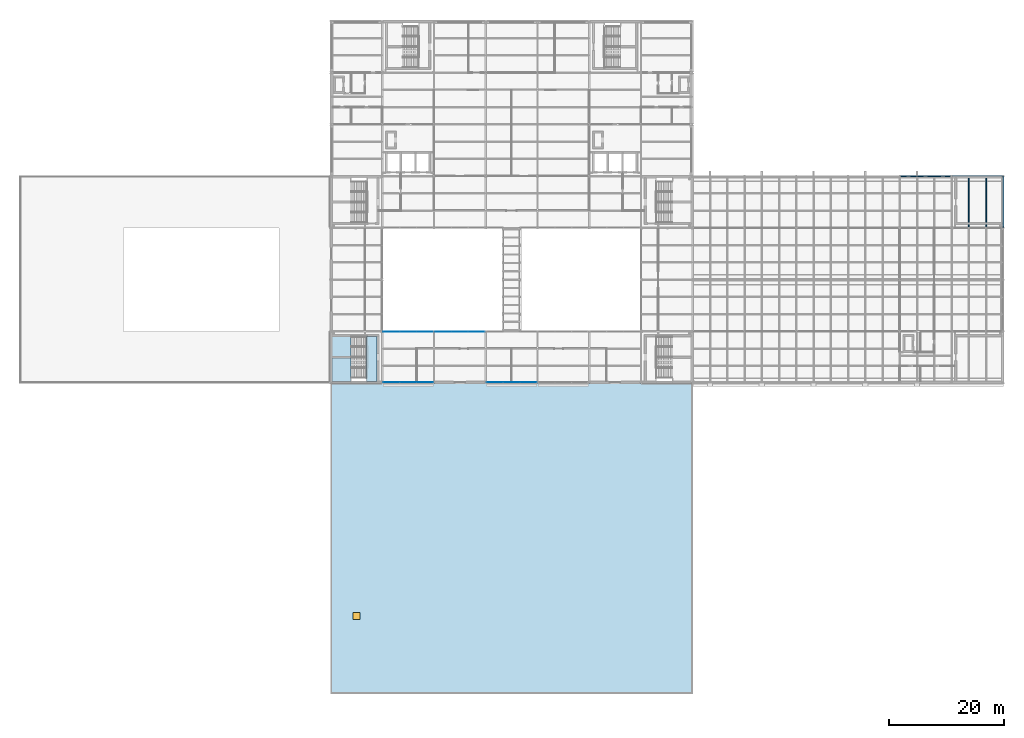
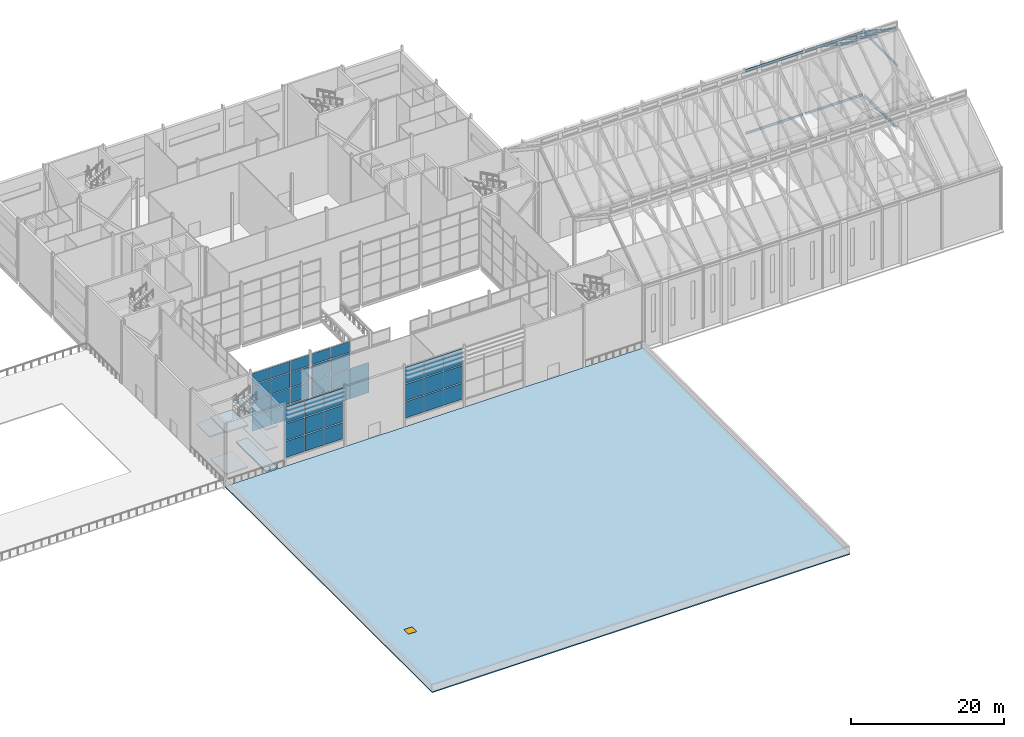
# One storey, part 80 of 111: 40 plates, 7 slabs, 6 beams, 3 members, 1 door, 1 opening, 5 elements without a shape of their own.
"""IFC4 building model written with IfcOpenShell, lengths in metres."""

from ifc_helpers import new_model, si_unit, direction, frame, origin, origin_2d, place, context, subcontext, project, spatial, polyline, rectangle, i_section, outline, extrude, material, layer, layer_set, material_profile, profile_set, type_object, element, fill, aggregate, save


model = new_model("IFC4")

# Units and contexts
model_context = context("Model", 3, precision=1e-05, world=origin(), true_north=direction((0.0, 1.0)))
body_context = subcontext(model_context, "Body", "Model", "MODEL_VIEW")
ifc_project = project(units=[si_unit("LENGTHUNIT", "METRE"), si_unit("AREAUNIT", "SQUARE_METRE"), si_unit("VOLUMEUNIT", "CUBIC_METRE"), si_unit("PLANEANGLEUNIT", "RADIAN"), si_unit("MASSUNIT", "GRAM", prefix="KILO")], contexts=[model_context])

# Site, building, storey
site_placement = place(None, origin())
site = spatial("IfcSite", under=ifc_project, at=site_placement, CompositionType="ELEMENT")
building_placement = place(site_placement, origin())
building = spatial("IfcBuilding", under=site, at=building_placement, Name="Shorebreak Coast Museum", CompositionType="ELEMENT")
storey_placement = place(building_placement, frame((0.0, 0.0, 16.0)))
storey = spatial("IfcBuildingStorey", under=building, at=storey_placement, Name="L03", CompositionType="ELEMENT", Elevation=16.0)

# Beams
ifc_material_1 = material(Name="Steel Grade 300", Category="steel")
ifc_material_profile_1 = material_profile(ifc_material_1, i_section(OverallWidth=0.1708984375, OverallDepth=0.355712890625, WebThickness=0.00732421875, FlangeThickness=0.011474609375, FilletRadius=0.011474609375, at=origin_2d()), Name="360UB50.7")
ifc_profile_set_1 = profile_set([ifc_material_profile_1], Name="Steel Grade 300")
beam_type_1 = type_object("IfcBeamType", Name="Floor girder east-west 360UB50.7", PredefinedType="BEAM", material=ifc_profile_set_1)
for number, where, z_axis, x_axis, name in (
    (1, (153.14990234375, 90.0, -0.352783203125), (1.0, 0.0, 0.0), (0.0, 1.0, 0.0), "Floor girder east-west L03 18L"),
    (2, (162.14990234375, 90.0, -0.352783203125), (1.0, 0.0, 0.0), (0.0, 1.0, 0.0), "Floor girder east-west L03 19L"),
):
    element("IfcBeam", number, at=place(storey_placement, frame(where, z_axis=z_axis, x_axis=x_axis)), inside=storey, type_object=beam_type_1, Name=name, PredefinedType="BEAM", context=body_context, shape_type="SweptSolid", body=[
        extrude(i_section(OverallWidth=0.1708984375, OverallDepth=0.355712890625, WebThickness=0.00732421875, FlangeThickness=0.011474609375, FilletRadius=0.011474609375, at=origin_2d()), origin(), (0.0, 0.0, 1.0), 8.7001953125),
    ])
ifc_material_2 = material(Name="Steel Grade 300", Category="steel")
ifc_material_profile_2 = material_profile(ifc_material_2, i_section(OverallWidth=0.18994140625, OverallDepth=0.453857421875, WebThickness=0.008544921875, FlangeThickness=0.0126953125, FilletRadius=0.011474609375, at=origin_2d()), Name="460UB67.1")
ifc_profile_set_2 = profile_set([ifc_material_profile_2], Name="Steel Grade 300")
beam_type_2 = type_object("IfcBeamType", Name="Floor girder north-south 460UB67.1", PredefinedType="BEAM", material=ifc_profile_set_2)
beam_1_placement = place(storey_placement, frame((171.0, 81.14990234375, -0.40185546875), z_axis=(0.0, 1.0, 0.0), x_axis=(-1.0, 0.0, 0.0)))
element("IfcBeam", 3, at=beam_1_placement, inside=storey, type_object=beam_type_2, Name="Floor girder north-south L03 20K", PredefinedType="BEAM", context=body_context, shape_type="SweptSolid", body=[
    extrude(i_section(OverallWidth=0.18994140625, OverallDepth=0.453857421875, WebThickness=0.008544921875, FlangeThickness=0.0126953125, FilletRadius=0.011474609375, at=origin_2d()), origin(), (0.0, 0.0, 1.0), 8.7001953125),
])

# Members
ifc_material_3 = material(Name="Steel Grade 300", Category="steel")
ifc_material_profile_3 = material_profile(ifc_material_3, i_section(OverallWidth=0.177978515625, OverallDepth=0.402587890625, WebThickness=0.007568359375, FlangeThickness=0.010986328125, FilletRadius=0.011474609375, at=origin_2d()), Name="410UB53.7")
ifc_profile_set_3 = profile_set([ifc_material_profile_3], Name="Steel Grade 300")
member_type_1 = type_object("IfcMemberType", Name="Fold rafter 410UB53.7", PredefinedType="RAFTER", material=ifc_profile_set_3)
for number, where, z_axis, x_axis, name in (
    (4, (165.0, 81.089111328125, 15.458251953125), (0.0, 0.832043209162, -0.554710823842), (-1.0, 0.0, 0.0), "Fold rafter FOLD-E line 4 17"),
    (5, (168.0, 81.089111328125, 15.458251953125), (0.0, 0.832043209162, -0.554710823842), (-1.0, 0.0, 0.0), "Fold rafter FOLD-E line 4 18"),
):
    element("IfcMember", number, at=place(storey_placement, frame(where, z_axis=z_axis, x_axis=x_axis)), inside=storey, type_object=member_type_1, Name=name, PredefinedType="RAFTER", context=body_context, shape_type="SweptSolid", body=[
        extrude(i_section(OverallWidth=0.177978515625, OverallDepth=0.402587890625, WebThickness=0.007568359375, FlangeThickness=0.010986328125, FilletRadius=0.011474609375, at=origin_2d()), origin(), (0.0, 0.0, 1.0), 10.6025390625),
    ])
ifc_material_4 = material(Name="Steel Grade 300", Category="steel")
ifc_material_profile_4 = material_profile(ifc_material_4, i_section(OverallWidth=0.18994140625, OverallDepth=0.453857421875, WebThickness=0.008544921875, FlangeThickness=0.0126953125, FilletRadius=0.011474609375, at=origin_2d()), Name="460UB67.1")
ifc_profile_set_4 = profile_set([ifc_material_profile_4], Name="Steel Grade 300")
member_type_2 = type_object("IfcMemberType", Name="Fold rib rafter 460UB67.1", PredefinedType="RAFTER", material=ifc_profile_set_4)
member_placement = place(storey_placement, frame((171.0, 81.089111328125, 15.427490234375), z_axis=(0.0, 0.832043209162, -0.554710823842), x_axis=(-1.0, 0.0, 0.0)))
element("IfcMember", 6, at=member_placement, inside=storey, type_object=member_type_2, Name="Fold rib rafter FOLD-E line 4 19", PredefinedType="RAFTER", context=body_context, shape_type="SweptSolid", body=[
    extrude(i_section(OverallWidth=0.18994140625, OverallDepth=0.453857421875, WebThickness=0.008544921875, FlangeThickness=0.0126953125, FilletRadius=0.011474609375, at=origin_2d()), origin(), (0.0, 0.0, 1.0), 10.6025390625),
])

# Beams
ifc_material_5 = material(Name="Steel Grade 300", Category="steel")
ifc_material_profile_5 = material_profile(ifc_material_5, i_section(OverallWidth=0.1708984375, OverallDepth=0.35205078125, WebThickness=0.0068359375, FlangeThickness=0.009765625, FilletRadius=0.011474609375, at=origin_2d()), Name="360UB44.7")
ifc_profile_set_5 = profile_set([ifc_material_profile_5], Name="Steel Grade 300")
beam_type_3 = type_object("IfcBeamType", Name="Fold rib tie 360UB44.7", PredefinedType="BEAM", material=ifc_profile_set_5)
beam_2_placement = place(storey_placement, frame((171.0, 81.125, 9.58349609375), z_axis=(0.0, 1.0, 0.0), x_axis=(-1.0, 0.0, 0.0)))
element("IfcBeam", 7, at=beam_2_placement, inside=storey, type_object=beam_type_3, Name="Fold rib tie FOLD-E rib 20 K-L", PredefinedType="BEAM", context=body_context, shape_type="SweptSolid", body=[
    extrude(i_section(OverallWidth=0.1708984375, OverallDepth=0.35205078125, WebThickness=0.0068359375, FlangeThickness=0.009765625, FilletRadius=0.011474609375, at=origin_2d()), origin(), (0.0, 0.0, 1.0), 8.75),
])
ifc_material_6 = material(Name="Steel Grade 300", Category="steel")
ifc_material_profile_6 = material_profile(ifc_material_6, i_section(OverallWidth=0.177978515625, OverallDepth=0.406494140625, WebThickness=0.0078125, FlangeThickness=0.0126953125, FilletRadius=0.011474609375, at=origin_2d()), Name="410UB59.7")
ifc_profile_set_6 = profile_set([ifc_material_profile_6], Name="Steel Grade 300")
beam_type_4 = type_object("IfcBeamType", Name="Fold valley girder 410UB59.7", PredefinedType="BEAM", material=ifc_profile_set_6)
for number, where, z_axis, x_axis, name in (
    (8, (153.125, 90.0, 9.61572265625), (1.0, 0.0, 0.0), (0.0, 1.0, 0.0), "Fold valley girder FOLD-E line L bay 18L"),
    (9, (162.125, 90.0, 9.61572265625), (1.0, 0.0, 0.0), (0.0, 1.0, 0.0), "Fold valley girder FOLD-E line L bay 19L"),
):
    element("IfcBeam", number, at=place(storey_placement, frame(where, z_axis=z_axis, x_axis=x_axis)), inside=storey, type_object=beam_type_4, Name=name, PredefinedType="BEAM", context=body_context, shape_type="SweptSolid", body=[
        extrude(i_section(OverallWidth=0.177978515625, OverallDepth=0.406494140625, WebThickness=0.0078125, FlangeThickness=0.0126953125, FilletRadius=0.011474609375, at=origin_2d()), origin(), (0.0, 0.0, 1.0), 8.75),
    ])

# Curtain wall, plates
ifc_material_7 = material(Name="Aluminium", Category="aluminium")
ifc_layer_1 = layer(ifc_material_7, 0.1201171875)
ifc_layer_set_1 = layer_set([ifc_layer_1], Name="Aluminium")
curtain_wall_type_1 = type_object("IfcCurtainWallType", Name="Atrium fire screen", PredefinedType="NOTDEFINED", material=ifc_layer_set_1)
curtain_wall_1_placement = place(storey_placement, origin())
curtain_wall_1 = element("IfcCurtainWall", 10, at=curtain_wall_1_placement, inside=storey, type_object=curtain_wall_type_1, Name="Atrium screen L03 S 33", PredefinedType="NOTDEFINED")
ifc_material_8 = material(Name="Glass", Category="glass")
ifc_layer_2 = layer(ifc_material_8, 0.034912109375)
ifc_layer_set_2 = layer_set([ifc_layer_2], Name="Glass")
plate_type_1 = type_object("IfcPlateType", Name="Fire-resisting glass panel 35", PredefinedType="CURTAIN_PANEL", material=ifc_layer_set_2)
plate_1_placement = place(storey_placement, frame((64.615478515625, 62.93994140625, 0.1201171875), z_axis=(0.0, 0.0, 1.0), x_axis=(1.0, 0.0, 0.0)))
plate_1 = element("IfcPlate", 11, at=plate_1_placement, type_object=plate_type_1, Name="CW4 panel 1.1", PredefinedType="CURTAIN_PANEL", context=body_context, shape_type="SweptSolid", body=[
    extrude(rectangle(XDim=2.822021484375, YDim=0.034912109375, at=origin_2d()), origin(), (0.0, 0.0, 1.0), 2.320068359375),
])
plate_2_placement = place(storey_placement, frame((64.615478515625, 62.93994140625, 2.56005859375), z_axis=(0.0, 0.0, 1.0), x_axis=(1.0, 0.0, 0.0)))
plate_2 = element("IfcPlate", 12, at=plate_2_placement, type_object=plate_type_1, Name="CW4 panel 1.2", PredefinedType="CURTAIN_PANEL", context=body_context, shape_type="SweptSolid", body=[
    extrude(rectangle(XDim=2.822021484375, YDim=0.034912109375, at=origin_2d()), origin(), (0.0, 0.0, 1.0), 2.3798828125),
])
plate_3_placement = place(storey_placement, frame((64.615478515625, 62.93994140625, 5.06005859375), z_axis=(0.0, 0.0, 1.0), x_axis=(1.0, 0.0, 0.0)))
plate_3 = element("IfcPlate", 13, at=plate_3_placement, type_object=plate_type_1, Name="CW4 panel 1.3", PredefinedType="CURTAIN_PANEL", context=body_context, shape_type="SweptSolid", body=[
    extrude(rectangle(XDim=2.822021484375, YDim=0.034912109375, at=origin_2d()), origin(), (0.0, 0.0, 1.0), 2.3798828125),
])
plate_4_placement = place(storey_placement, frame((64.615478515625, 62.93994140625, 7.56005859375), z_axis=(0.0, 0.0, 1.0), x_axis=(1.0, 0.0, 0.0)))
plate_4 = element("IfcPlate", 14, at=plate_4_placement, type_object=plate_type_1, Name="CW4 panel 1.4", PredefinedType="CURTAIN_PANEL", context=body_context, shape_type="SweptSolid", body=[
    extrude(rectangle(XDim=2.822021484375, YDim=0.034912109375, at=origin_2d()), origin(), (0.0, 0.0, 1.0), 1.742431640625),
])
plate_5_placement = place(storey_placement, frame((67.5, 62.93994140625, 0.1201171875), z_axis=(0.0, 0.0, 1.0), x_axis=(1.0, 0.0, 0.0)))
plate_5 = element("IfcPlate", 15, at=plate_5_placement, type_object=plate_type_1, Name="CW4 panel 2.1", PredefinedType="CURTAIN_PANEL", context=body_context, shape_type="SweptSolid", body=[
    extrude(rectangle(XDim=2.846923828125, YDim=0.034912109375, at=origin_2d()), origin(), (0.0, 0.0, 1.0), 2.320068359375),
])
plate_6_placement = place(storey_placement, frame((67.5, 62.93994140625, 2.56005859375), z_axis=(0.0, 0.0, 1.0), x_axis=(1.0, 0.0, 0.0)))
plate_6 = element("IfcPlate", 16, at=plate_6_placement, type_object=plate_type_1, Name="CW4 panel 2.2", PredefinedType="CURTAIN_PANEL", context=body_context, shape_type="SweptSolid", body=[
    extrude(rectangle(XDim=2.846923828125, YDim=0.034912109375, at=origin_2d()), origin(), (0.0, 0.0, 1.0), 2.3798828125),
])
plate_7_placement = place(storey_placement, frame((67.5, 62.93994140625, 5.06005859375), z_axis=(0.0, 0.0, 1.0), x_axis=(1.0, 0.0, 0.0)))
plate_7 = element("IfcPlate", 17, at=plate_7_placement, type_object=plate_type_1, Name="CW4 panel 2.3", PredefinedType="CURTAIN_PANEL", context=body_context, shape_type="SweptSolid", body=[
    extrude(rectangle(XDim=2.846923828125, YDim=0.034912109375, at=origin_2d()), origin(), (0.0, 0.0, 1.0), 2.3798828125),
])
plate_8_placement = place(storey_placement, frame((67.5, 62.93994140625, 7.56005859375), z_axis=(0.0, 0.0, 1.0), x_axis=(1.0, 0.0, 0.0)))
plate_8 = element("IfcPlate", 18, at=plate_8_placement, type_object=plate_type_1, Name="CW4 panel 2.4", PredefinedType="CURTAIN_PANEL", context=body_context, shape_type="SweptSolid", body=[
    extrude(rectangle(XDim=2.846923828125, YDim=0.034912109375, at=origin_2d()), origin(), (0.0, 0.0, 1.0), 1.742431640625),
])
plate_9_placement = place(storey_placement, frame((70.384521484375, 62.93994140625, 0.1201171875), z_axis=(0.0, 0.0, 1.0), x_axis=(1.0, 0.0, 0.0)))
plate_9 = element("IfcPlate", 19, at=plate_9_placement, type_object=plate_type_1, Name="CW4 panel 3.1", PredefinedType="CURTAIN_PANEL", context=body_context, shape_type="SweptSolid", body=[
    extrude(rectangle(XDim=2.822021484375, YDim=0.034912109375, at=origin_2d()), origin(), (0.0, 0.0, 1.0), 2.320068359375),
])
plate_10_placement = place(storey_placement, frame((70.384521484375, 62.93994140625, 2.56005859375), z_axis=(0.0, 0.0, 1.0), x_axis=(1.0, 0.0, 0.0)))
plate_10 = element("IfcPlate", 20, at=plate_10_placement, type_object=plate_type_1, Name="CW4 panel 3.2", PredefinedType="CURTAIN_PANEL", context=body_context, shape_type="SweptSolid", body=[
    extrude(rectangle(XDim=2.822021484375, YDim=0.034912109375, at=origin_2d()), origin(), (0.0, 0.0, 1.0), 2.3798828125),
])
plate_11_placement = place(storey_placement, frame((70.384521484375, 62.93994140625, 5.06005859375), z_axis=(0.0, 0.0, 1.0), x_axis=(1.0, 0.0, 0.0)))
plate_11 = element("IfcPlate", 21, at=plate_11_placement, type_object=plate_type_1, Name="CW4 panel 3.3", PredefinedType="CURTAIN_PANEL", context=body_context, shape_type="SweptSolid", body=[
    extrude(rectangle(XDim=2.822021484375, YDim=0.034912109375, at=origin_2d()), origin(), (0.0, 0.0, 1.0), 2.3798828125),
])
plate_12_placement = place(storey_placement, frame((70.384521484375, 62.93994140625, 7.56005859375), z_axis=(0.0, 0.0, 1.0), x_axis=(1.0, 0.0, 0.0)))
plate_12 = element("IfcPlate", 22, at=plate_12_placement, type_object=plate_type_1, Name="CW4 panel 3.4", PredefinedType="CURTAIN_PANEL", context=body_context, shape_type="SweptSolid", body=[
    extrude(rectangle(XDim=2.822021484375, YDim=0.034912109375, at=origin_2d()), origin(), (0.0, 0.0, 1.0), 1.742431640625),
])
aggregate(curtain_wall_1, [plate_1, plate_2, plate_3, plate_4, plate_5, plate_6, plate_7, plate_8, plate_9, plate_10, plate_11, plate_12])

curtain_wall_2_placement = place(storey_placement, origin())
curtain_wall_2 = element("IfcCurtainWall", 23, at=curtain_wall_2_placement, inside=storey, type_object=curtain_wall_type_1, Name="Atrium screen L03 S 34", PredefinedType="NOTDEFINED")
plate_13_placement = place(storey_placement, frame((73.615478515625, 62.93994140625, 0.1201171875), z_axis=(0.0, 0.0, 1.0), x_axis=(1.0, 0.0, 0.0)))
plate_13 = element("IfcPlate", 24, at=plate_13_placement, type_object=plate_type_1, Name="CW5 panel 1.1", PredefinedType="CURTAIN_PANEL", context=body_context, shape_type="SweptSolid", body=[
    extrude(rectangle(XDim=2.822021484375, YDim=0.034912109375, at=origin_2d()), origin(), (0.0, 0.0, 1.0), 2.320068359375),
])
plate_14_placement = place(storey_placement, frame((73.615478515625, 62.93994140625, 2.56005859375), z_axis=(0.0, 0.0, 1.0), x_axis=(1.0, 0.0, 0.0)))
plate_14 = element("IfcPlate", 25, at=plate_14_placement, type_object=plate_type_1, Name="CW5 panel 1.2", PredefinedType="CURTAIN_PANEL", context=body_context, shape_type="SweptSolid", body=[
    extrude(rectangle(XDim=2.822021484375, YDim=0.034912109375, at=origin_2d()), origin(), (0.0, 0.0, 1.0), 2.3798828125),
])
plate_15_placement = place(storey_placement, frame((73.615478515625, 62.93994140625, 5.06005859375), z_axis=(0.0, 0.0, 1.0), x_axis=(1.0, 0.0, 0.0)))
plate_15 = element("IfcPlate", 26, at=plate_15_placement, type_object=plate_type_1, Name="CW5 panel 1.3", PredefinedType="CURTAIN_PANEL", context=body_context, shape_type="SweptSolid", body=[
    extrude(rectangle(XDim=2.822021484375, YDim=0.034912109375, at=origin_2d()), origin(), (0.0, 0.0, 1.0), 2.3798828125),
])
plate_16_placement = place(storey_placement, frame((73.615478515625, 62.93994140625, 7.56005859375), z_axis=(0.0, 0.0, 1.0), x_axis=(1.0, 0.0, 0.0)))
plate_16 = element("IfcPlate", 27, at=plate_16_placement, type_object=plate_type_1, Name="CW5 panel 1.4", PredefinedType="CURTAIN_PANEL", context=body_context, shape_type="SweptSolid", body=[
    extrude(rectangle(XDim=2.822021484375, YDim=0.034912109375, at=origin_2d()), origin(), (0.0, 0.0, 1.0), 1.742431640625),
])
plate_17_placement = place(storey_placement, frame((76.5, 62.93994140625, 0.1201171875), z_axis=(0.0, 0.0, 1.0), x_axis=(1.0, 0.0, 0.0)))
plate_17 = element("IfcPlate", 28, at=plate_17_placement, type_object=plate_type_1, Name="CW5 panel 2.1", PredefinedType="CURTAIN_PANEL", context=body_context, shape_type="SweptSolid", body=[
    extrude(rectangle(XDim=2.846923828125, YDim=0.034912109375, at=origin_2d()), origin(), (0.0, 0.0, 1.0), 2.320068359375),
])
plate_18_placement = place(storey_placement, frame((76.5, 62.93994140625, 2.56005859375), z_axis=(0.0, 0.0, 1.0), x_axis=(1.0, 0.0, 0.0)))
plate_18 = element("IfcPlate", 29, at=plate_18_placement, type_object=plate_type_1, Name="CW5 panel 2.2", PredefinedType="CURTAIN_PANEL", context=body_context, shape_type="SweptSolid", body=[
    extrude(rectangle(XDim=2.846923828125, YDim=0.034912109375, at=origin_2d()), origin(), (0.0, 0.0, 1.0), 2.3798828125),
])
plate_19_placement = place(storey_placement, frame((76.5, 62.93994140625, 5.06005859375), z_axis=(0.0, 0.0, 1.0), x_axis=(1.0, 0.0, 0.0)))
plate_19 = element("IfcPlate", 30, at=plate_19_placement, type_object=plate_type_1, Name="CW5 panel 2.3", PredefinedType="CURTAIN_PANEL", context=body_context, shape_type="SweptSolid", body=[
    extrude(rectangle(XDim=2.846923828125, YDim=0.034912109375, at=origin_2d()), origin(), (0.0, 0.0, 1.0), 2.3798828125),
])
plate_20_placement = place(storey_placement, frame((76.5, 62.93994140625, 7.56005859375), z_axis=(0.0, 0.0, 1.0), x_axis=(1.0, 0.0, 0.0)))
plate_20 = element("IfcPlate", 31, at=plate_20_placement, type_object=plate_type_1, Name="CW5 panel 2.4", PredefinedType="CURTAIN_PANEL", context=body_context, shape_type="SweptSolid", body=[
    extrude(rectangle(XDim=2.846923828125, YDim=0.034912109375, at=origin_2d()), origin(), (0.0, 0.0, 1.0), 1.742431640625),
])
plate_21_placement = place(storey_placement, frame((79.384521484375, 62.93994140625, 0.1201171875), z_axis=(0.0, 0.0, 1.0), x_axis=(1.0, 0.0, 0.0)))
plate_21 = element("IfcPlate", 32, at=plate_21_placement, type_object=plate_type_1, Name="CW5 panel 3.1", PredefinedType="CURTAIN_PANEL", context=body_context, shape_type="SweptSolid", body=[
    extrude(rectangle(XDim=2.822021484375, YDim=0.034912109375, at=origin_2d()), origin(), (0.0, 0.0, 1.0), 2.320068359375),
])
plate_22_placement = place(storey_placement, frame((79.384521484375, 62.93994140625, 2.56005859375), z_axis=(0.0, 0.0, 1.0), x_axis=(1.0, 0.0, 0.0)))
plate_22 = element("IfcPlate", 33, at=plate_22_placement, type_object=plate_type_1, Name="CW5 panel 3.2", PredefinedType="CURTAIN_PANEL", context=body_context, shape_type="SweptSolid", body=[
    extrude(rectangle(XDim=2.822021484375, YDim=0.034912109375, at=origin_2d()), origin(), (0.0, 0.0, 1.0), 2.3798828125),
])
aggregate(curtain_wall_2, [plate_13, plate_14, plate_15, plate_16, plate_17, plate_18, plate_19, plate_20, plate_21, plate_22])

# Slab, opening, door
ifc_material_9 = material(Name="Concrete N40 (40 MPa)", Category="concrete")
ifc_layer_3 = layer(ifc_material_9, 0.175048828125)
ifc_layer_set_3 = layer_set([ifc_layer_3], Name="Concrete N40 (40 MPa)")
slab_type_1 = type_object("IfcSlabType", Name="Roof deck 175 concrete N40", PredefinedType="ROOF", material=ifc_layer_set_3)
slab_1_placement = place(storey_placement, frame((0.0, 0.0, -0.175048828125)))
slab_1 = element("IfcSlab", 34, at=slab_1_placement, inside=storey, type_object=slab_type_1, Name="Roof deck south arm", PredefinedType="ROOF", context=body_context, shape_type="SweptSolid", body=[
    extrude(outline(polyline([(54.0, 0.0), (117.0, 0.0), (117.0, 54.0), (54.0, 54.0), (54.0, 0.0)])), origin(), (0.0, 0.0, 1.0), 0.175048828125),
])
opening_placement = place(slab_1_placement, frame((58.5, 13.5, 0.0)))
opening = element("IfcOpeningElement", 35, at=opening_placement, cuts=slab_1, Name="Opening D0918", PredefinedType="OPENING", context=body_context, shape_type="SweptSolid", body=[
    extrude(rectangle(XDim=1.199951171875, YDim=1.199951171875, at=origin_2d()), origin(), (0.0, 0.0, 1.0), 0.175048828125),
])
ifc_material_10 = material(Name="Aluminium", Category="aluminium")
door_type = type_object("IfcDoorType", Name="Roof access hatch 1200 x 1200", OperationType="SINGLE_SWING_LEFT", PredefinedType="TRAPDOOR", material=ifc_material_10)
door_placement = place(opening_placement, frame((0.0, 0.0, 0.125)))
door = element("IfcDoor", 36, at=door_placement, inside=storey, type_object=door_type, Name="Roof hatch D0918", OperationType="SINGLE_SWING_LEFT", OverallHeight=1.199951171875, OverallWidth=1.199951171875, PredefinedType="TRAPDOOR", context=body_context, shape_type="SweptSolid", body=[
    extrude(rectangle(XDim=1.199951171875, YDim=1.199951171875, at=origin_2d()), origin(), (0.0, 0.0, 1.0), 0.050048828125),
])
fill(opening, door)

# Stair, slabs
ifc_material_11 = material(Name="Concrete N40 (40 MPa)", Category="concrete")
stair_type = type_object("IfcStairType", Name="Stair run 10 m", PredefinedType="DOUBLE_RETURN_STAIR", material=ifc_material_11)
stair_placement = place(storey_placement, origin())
stair = element("IfcStair", 37, at=stair_placement, inside=storey, type_object=stair_type, Name="Exit stair ST01-L03", PredefinedType="DOUBLE_RETURN_STAIR")
ifc_material_12 = material(Name="Concrete N40 (40 MPa)", Category="concrete")
ifc_layer_4 = layer(ifc_material_12, 0.199951171875)
ifc_layer_set_4 = layer_set([ifc_layer_4], Name="Concrete N40 (40 MPa)")
slab_type_2 = type_object("IfcSlabType", Name="Stair landing 200", PredefinedType="LANDING", material=ifc_layer_set_4)
slab_2_placement = place(storey_placement, frame((0.0, 0.0, -0.199951171875)))
slab_2 = element("IfcSlab", 38, at=slab_2_placement, type_object=slab_type_2, Name="ST01-L03 landing 1", PredefinedType="LANDING", context=body_context, shape_type="SweptSolid", body=[
    extrude(outline(polyline([(60.300048828125, 54.300048828125), (62.10009765625, 54.300048828125), (62.10009765625, 62.10009765625), (60.300048828125, 62.10009765625), (60.300048828125, 54.300048828125)])), origin(), (0.0, 0.0, 1.0), 0.199951171875),
])
slab_3_placement = place(storey_placement, frame((0.0, 0.0, 3.13330078125)))
slab_3 = element("IfcSlab", 39, at=slab_3_placement, type_object=slab_type_2, Name="ST01-L03 landing 2", PredefinedType="LANDING", context=body_context, shape_type="SweptSolid", body=[
    extrude(outline(polyline([(60.300048828125, 54.300048828125), (62.10009765625, 54.300048828125), (62.10009765625, 62.10009765625), (60.300048828125, 62.10009765625), (60.300048828125, 54.300048828125)])), origin(), (0.0, 0.0, 1.0), 0.199951171875),
])
slab_4_placement = place(storey_placement, frame((0.0, 0.0, 6.466796875)))
slab_4 = element("IfcSlab", 40, at=slab_4_placement, type_object=slab_type_2, Name="ST01-L03 landing 3", PredefinedType="LANDING", context=body_context, shape_type="SweptSolid", body=[
    extrude(outline(polyline([(60.300048828125, 54.300048828125), (62.10009765625, 54.300048828125), (62.10009765625, 62.10009765625), (60.300048828125, 62.10009765625), (60.300048828125, 54.300048828125)])), origin(), (0.0, 0.0, 1.0), 0.199951171875),
])
slab_5_placement = place(storey_placement, frame((0.0, 0.0, 1.466796875)))
slab_5 = element("IfcSlab", 41, at=slab_5_placement, type_object=slab_type_2, Name="ST01-L03 landing 4", PredefinedType="LANDING", context=body_context, shape_type="SweptSolid", body=[
    extrude(outline(polyline([(54.300048828125, 54.300048828125), (57.60009765625, 54.300048828125), (57.60009765625, 58.35009765625), (54.300048828125, 58.35009765625), (54.300048828125, 54.300048828125)])), origin(), (0.0, 0.0, 1.0), 0.199951171875),
])
slab_6_placement = place(storey_placement, frame((0.0, 0.0, 4.800048828125)))
slab_6 = element("IfcSlab", 42, at=slab_6_placement, type_object=slab_type_2, Name="ST01-L03 landing 5", PredefinedType="LANDING", context=body_context, shape_type="SweptSolid", body=[
    extrude(outline(polyline([(54.300048828125, 58.64990234375), (57.60009765625, 58.64990234375), (57.60009765625, 62.10009765625), (54.300048828125, 62.10009765625), (54.300048828125, 58.64990234375)])), origin(), (0.0, 0.0, 1.0), 0.199951171875),
])
slab_7_placement = place(storey_placement, frame((0.0, 0.0, 8.13330078125)))
slab_7 = element("IfcSlab", 43, at=slab_7_placement, type_object=slab_type_2, Name="ST01-L03 landing 6", PredefinedType="LANDING", context=body_context, shape_type="SweptSolid", body=[
    extrude(outline(polyline([(54.300048828125, 54.300048828125), (57.60009765625, 54.300048828125), (57.60009765625, 58.35009765625), (54.300048828125, 58.35009765625), (54.300048828125, 54.300048828125)])), origin(), (0.0, 0.0, 1.0), 0.199951171875),
])
aggregate(stair, [slab_2, slab_3, slab_4, slab_5, slab_6, slab_7])

# Curtain wall, plates
ifc_material_13 = material(Name="Aluminium", Category="aluminium")
ifc_layer_5 = layer(ifc_material_13, 0.14990234375)
ifc_layer_set_5 = layer_set([ifc_layer_5], Name="Aluminium")
curtain_wall_type_2 = type_object("IfcCurtainWallType", Name="Storefront curtain wall", PredefinedType="NOTDEFINED", material=ifc_layer_set_5)
curtain_wall_3_placement = place(storey_placement, origin())
curtain_wall_3 = element("IfcCurtainWall", 44, at=curtain_wall_3_placement, inside=storey, type_object=curtain_wall_type_2, Name="Atrium Hall glazing L03 S 1", PredefinedType="NOTDEFINED")
ifc_material_14 = material(Name="Glass", Category="glass")
ifc_layer_6 = layer(ifc_material_14, 0.031982421875)
ifc_layer_set_6 = layer_set([ifc_layer_6], Name="Glass")
plate_type_2 = type_object("IfcPlateType", Name="Storefront glass panel 32", PredefinedType="CURTAIN_PANEL", material=ifc_layer_set_6)
plate_23_placement = place(storey_placement, frame((64.595947265625, 54.14990234375, 1.25), z_axis=(0.0, 0.0, 1.0), x_axis=(1.0, 0.0, 0.0)))
plate_23 = element("IfcPlate", 45, at=plate_23_placement, type_object=plate_type_2, Name="CW5 panel 1.1", PredefinedType="CURTAIN_PANEL", context=body_context, shape_type="SweptSolid", body=[
    extrude(rectangle(XDim=2.841552734375, YDim=0.031982421875, at=origin_2d()), origin(), (0.0, 0.0, 1.0), 2.56591796875),
])
plate_24_placement = place(storey_placement, frame((64.595947265625, 54.14990234375, 3.966064453125), z_axis=(0.0, 0.0, 1.0), x_axis=(1.0, 0.0, 0.0)))
plate_24 = element("IfcPlate", 46, at=plate_24_placement, type_object=plate_type_2, Name="CW5 panel 1.2", PredefinedType="CURTAIN_PANEL", context=body_context, shape_type="SweptSolid", body=[
    extrude(rectangle(XDim=2.841552734375, YDim=0.031982421875, at=origin_2d()), origin(), (0.0, 0.0, 1.0), 2.64111328125),
])
plate_25_placement = place(storey_placement, frame((64.595947265625, 54.14990234375, 6.757080078125), z_axis=(0.0, 0.0, 1.0), x_axis=(1.0, 0.0, 0.0)))
plate_25 = element("IfcPlate", 47, at=plate_25_placement, type_object=plate_type_2, Name="CW5 panel 1.3", PredefinedType="CURTAIN_PANEL", context=body_context, shape_type="SweptSolid", body=[
    extrude(rectangle(XDim=2.841552734375, YDim=0.031982421875, at=origin_2d()), origin(), (0.0, 0.0, 1.0), 2.56591796875),
])
plate_26_placement = place(storey_placement, frame((67.5, 54.14990234375, 1.25), z_axis=(0.0, 0.0, 1.0), x_axis=(1.0, 0.0, 0.0)))
plate_26 = element("IfcPlate", 48, at=plate_26_placement, type_object=plate_type_2, Name="CW5 panel 2.1", PredefinedType="CURTAIN_PANEL", context=body_context, shape_type="SweptSolid", body=[
    extrude(rectangle(XDim=2.86669921875, YDim=0.031982421875, at=origin_2d()), origin(), (0.0, 0.0, 1.0), 2.56591796875),
])
plate_27_placement = place(storey_placement, frame((67.5, 54.14990234375, 3.966064453125), z_axis=(0.0, 0.0, 1.0), x_axis=(1.0, 0.0, 0.0)))
plate_27 = element("IfcPlate", 49, at=plate_27_placement, type_object=plate_type_2, Name="CW5 panel 2.2", PredefinedType="CURTAIN_PANEL", context=body_context, shape_type="SweptSolid", body=[
    extrude(rectangle(XDim=2.86669921875, YDim=0.031982421875, at=origin_2d()), origin(), (0.0, 0.0, 1.0), 2.64111328125),
])
plate_28_placement = place(storey_placement, frame((67.5, 54.14990234375, 6.757080078125), z_axis=(0.0, 0.0, 1.0), x_axis=(1.0, 0.0, 0.0)))
plate_28 = element("IfcPlate", 50, at=plate_28_placement, type_object=plate_type_2, Name="CW5 panel 2.3", PredefinedType="CURTAIN_PANEL", context=body_context, shape_type="SweptSolid", body=[
    extrude(rectangle(XDim=2.86669921875, YDim=0.031982421875, at=origin_2d()), origin(), (0.0, 0.0, 1.0), 2.56591796875),
])
plate_29_placement = place(storey_placement, frame((70.404052734375, 54.14990234375, 1.25), z_axis=(0.0, 0.0, 1.0), x_axis=(1.0, 0.0, 0.0)))
plate_29 = element("IfcPlate", 51, at=plate_29_placement, type_object=plate_type_2, Name="CW5 panel 3.1", PredefinedType="CURTAIN_PANEL", context=body_context, shape_type="SweptSolid", body=[
    extrude(rectangle(XDim=2.841552734375, YDim=0.031982421875, at=origin_2d()), origin(), (0.0, 0.0, 1.0), 2.56591796875),
])
plate_30_placement = place(storey_placement, frame((70.404052734375, 54.14990234375, 3.966064453125), z_axis=(0.0, 0.0, 1.0), x_axis=(1.0, 0.0, 0.0)))
plate_30 = element("IfcPlate", 52, at=plate_30_placement, type_object=plate_type_2, Name="CW5 panel 3.2", PredefinedType="CURTAIN_PANEL", context=body_context, shape_type="SweptSolid", body=[
    extrude(rectangle(XDim=2.841552734375, YDim=0.031982421875, at=origin_2d()), origin(), (0.0, 0.0, 1.0), 2.64111328125),
])
plate_31_placement = place(storey_placement, frame((70.404052734375, 54.14990234375, 6.757080078125), z_axis=(0.0, 0.0, 1.0), x_axis=(1.0, 0.0, 0.0)))
plate_31 = element("IfcPlate", 53, at=plate_31_placement, type_object=plate_type_2, Name="CW5 panel 3.3", PredefinedType="CURTAIN_PANEL", context=body_context, shape_type="SweptSolid", body=[
    extrude(rectangle(XDim=2.841552734375, YDim=0.031982421875, at=origin_2d()), origin(), (0.0, 0.0, 1.0), 2.56591796875),
])
aggregate(curtain_wall_3, [plate_23, plate_24, plate_25, plate_26, plate_27, plate_28, plate_29, plate_30, plate_31])

curtain_wall_4_placement = place(storey_placement, origin())
curtain_wall_4 = element("IfcCurtainWall", 54, at=curtain_wall_4_placement, inside=storey, type_object=curtain_wall_type_2, Name="Atrium Hall glazing L03 S 2", PredefinedType="NOTDEFINED")
plate_32_placement = place(storey_placement, frame((82.595947265625, 54.14990234375, 1.25), z_axis=(0.0, 0.0, 1.0), x_axis=(1.0, 0.0, 0.0)))
plate_32 = element("IfcPlate", 55, at=plate_32_placement, type_object=plate_type_2, Name="CW5 panel 1.1", PredefinedType="CURTAIN_PANEL", context=body_context, shape_type="SweptSolid", body=[
    extrude(rectangle(XDim=2.841552734375, YDim=0.031982421875, at=origin_2d()), origin(), (0.0, 0.0, 1.0), 2.56591796875),
])
plate_33_placement = place(storey_placement, frame((82.595947265625, 54.14990234375, 3.966064453125), z_axis=(0.0, 0.0, 1.0), x_axis=(1.0, 0.0, 0.0)))
plate_33 = element("IfcPlate", 56, at=plate_33_placement, type_object=plate_type_2, Name="CW5 panel 1.2", PredefinedType="CURTAIN_PANEL", context=body_context, shape_type="SweptSolid", body=[
    extrude(rectangle(XDim=2.841552734375, YDim=0.031982421875, at=origin_2d()), origin(), (0.0, 0.0, 1.0), 2.64111328125),
])
plate_34_placement = place(storey_placement, frame((82.595947265625, 54.14990234375, 6.757080078125), z_axis=(0.0, 0.0, 1.0), x_axis=(1.0, 0.0, 0.0)))
plate_34 = element("IfcPlate", 57, at=plate_34_placement, type_object=plate_type_2, Name="CW5 panel 1.3", PredefinedType="CURTAIN_PANEL", context=body_context, shape_type="SweptSolid", body=[
    extrude(rectangle(XDim=2.841552734375, YDim=0.031982421875, at=origin_2d()), origin(), (0.0, 0.0, 1.0), 2.56591796875),
])
plate_35_placement = place(storey_placement, frame((85.5, 54.14990234375, 1.25), z_axis=(0.0, 0.0, 1.0), x_axis=(1.0, 0.0, 0.0)))
plate_35 = element("IfcPlate", 58, at=plate_35_placement, type_object=plate_type_2, Name="CW5 panel 2.1", PredefinedType="CURTAIN_PANEL", context=body_context, shape_type="SweptSolid", body=[
    extrude(rectangle(XDim=2.86669921875, YDim=0.031982421875, at=origin_2d()), origin(), (0.0, 0.0, 1.0), 2.56591796875),
])
plate_36_placement = place(storey_placement, frame((85.5, 54.14990234375, 3.966064453125), z_axis=(0.0, 0.0, 1.0), x_axis=(1.0, 0.0, 0.0)))
plate_36 = element("IfcPlate", 59, at=plate_36_placement, type_object=plate_type_2, Name="CW5 panel 2.2", PredefinedType="CURTAIN_PANEL", context=body_context, shape_type="SweptSolid", body=[
    extrude(rectangle(XDim=2.86669921875, YDim=0.031982421875, at=origin_2d()), origin(), (0.0, 0.0, 1.0), 2.64111328125),
])
plate_37_placement = place(storey_placement, frame((85.5, 54.14990234375, 6.757080078125), z_axis=(0.0, 0.0, 1.0), x_axis=(1.0, 0.0, 0.0)))
plate_37 = element("IfcPlate", 60, at=plate_37_placement, type_object=plate_type_2, Name="CW5 panel 2.3", PredefinedType="CURTAIN_PANEL", context=body_context, shape_type="SweptSolid", body=[
    extrude(rectangle(XDim=2.86669921875, YDim=0.031982421875, at=origin_2d()), origin(), (0.0, 0.0, 1.0), 2.56591796875),
])
plate_38_placement = place(storey_placement, frame((88.404052734375, 54.14990234375, 1.25), z_axis=(0.0, 0.0, 1.0), x_axis=(1.0, 0.0, 0.0)))
plate_38 = element("IfcPlate", 61, at=plate_38_placement, type_object=plate_type_2, Name="CW5 panel 3.1", PredefinedType="CURTAIN_PANEL", context=body_context, shape_type="SweptSolid", body=[
    extrude(rectangle(XDim=2.841552734375, YDim=0.031982421875, at=origin_2d()), origin(), (0.0, 0.0, 1.0), 2.56591796875),
])
plate_39_placement = place(storey_placement, frame((88.404052734375, 54.14990234375, 3.966064453125), z_axis=(0.0, 0.0, 1.0), x_axis=(1.0, 0.0, 0.0)))
plate_39 = element("IfcPlate", 62, at=plate_39_placement, type_object=plate_type_2, Name="CW5 panel 3.2", PredefinedType="CURTAIN_PANEL", context=body_context, shape_type="SweptSolid", body=[
    extrude(rectangle(XDim=2.841552734375, YDim=0.031982421875, at=origin_2d()), origin(), (0.0, 0.0, 1.0), 2.64111328125),
])
plate_40_placement = place(storey_placement, frame((88.404052734375, 54.14990234375, 6.757080078125), z_axis=(0.0, 0.0, 1.0), x_axis=(1.0, 0.0, 0.0)))
plate_40 = element("IfcPlate", 63, at=plate_40_placement, type_object=plate_type_2, Name="CW5 panel 3.3", PredefinedType="CURTAIN_PANEL", context=body_context, shape_type="SweptSolid", body=[
    extrude(rectangle(XDim=2.841552734375, YDim=0.031982421875, at=origin_2d()), origin(), (0.0, 0.0, 1.0), 2.56591796875),
])
aggregate(curtain_wall_4, [plate_32, plate_33, plate_34, plate_35, plate_36, plate_37, plate_38, plate_39, plate_40])

save(model, "model.ifc")
